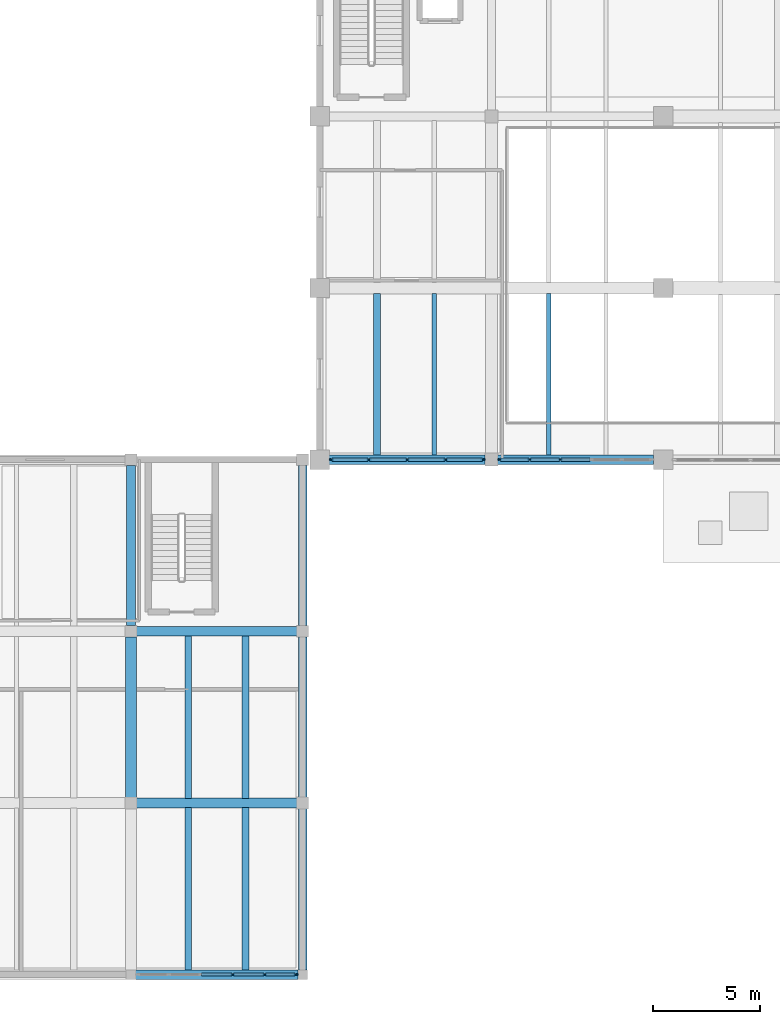
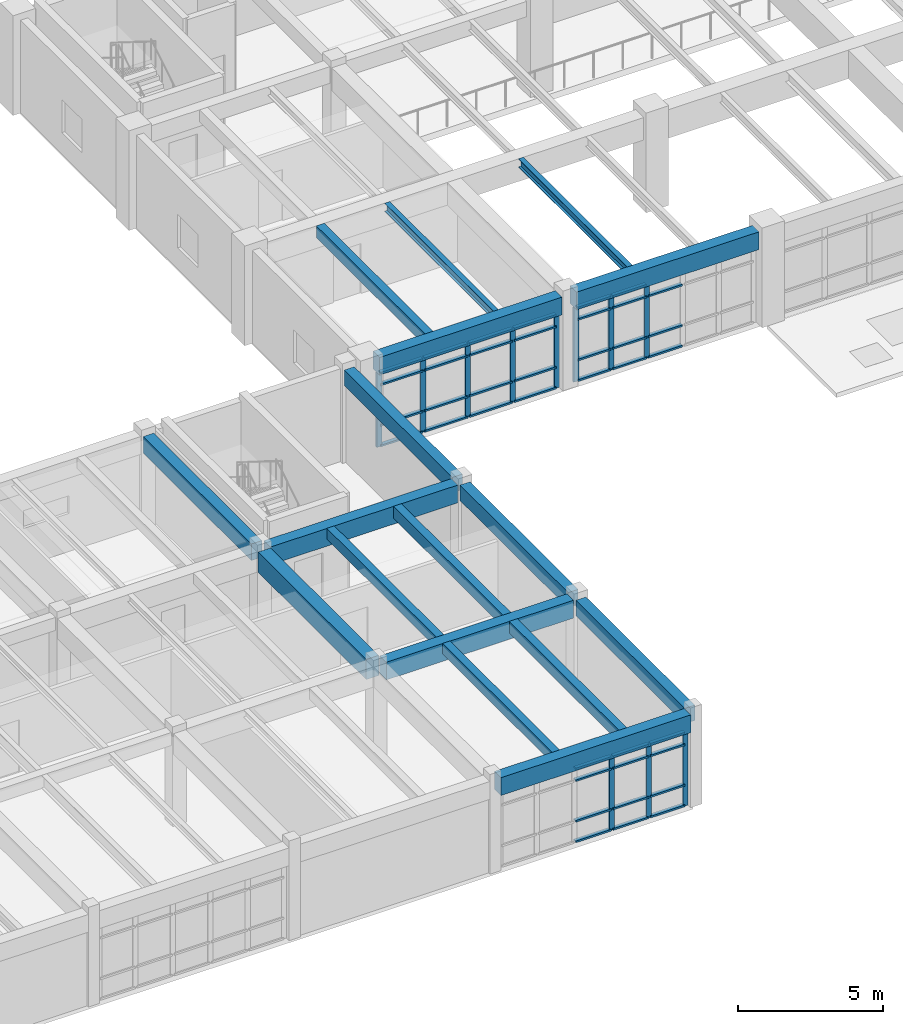
# One storey, part 5 of 67: 50 members, 17 beams, 3 elements without a shape of their own.
"""IFC4 building model written with IfcOpenShell, lengths in metres."""

from ifc_helpers import new_model, si_unit, direction, frame, origin, origin_2d, place, context, subcontext, project, spatial, rectangle, i_section, extrude, material, material_profile, profile_set, type_object, element, aggregate, save


model = new_model("IFC4")

# Units and contexts
model_context = context("Model", 3, precision=1e-05, world=origin(), true_north=direction((0.0, 1.0)))
body_context = subcontext(model_context, "Body", "Model", "MODEL_VIEW")
ifc_project = project(units=[si_unit("LENGTHUNIT", "METRE"), si_unit("AREAUNIT", "SQUARE_METRE"), si_unit("VOLUMEUNIT", "CUBIC_METRE"), si_unit("PLANEANGLEUNIT", "RADIAN"), si_unit("MASSUNIT", "GRAM", prefix="KILO")], contexts=[model_context])

# Site, building, storey
site_placement = place(None, origin())
site = spatial("IfcSite", under=ifc_project, at=site_placement, CompositionType="ELEMENT")
building_placement = place(site_placement, origin())
building = spatial("IfcBuilding", under=site, at=building_placement, Name="Tlaxcora Railside Police Headquarters", CompositionType="ELEMENT")
storey_placement = place(building_placement, frame((0.0, 0.0, 4.800048828125)))
storey = spatial("IfcBuildingStorey", under=building, at=storey_placement, Name="L01", CompositionType="ELEMENT", Elevation=4.800048828125)

# Curtain wall, members
ifc_material_1 = material(Name="Thermally broken low-E insulated glazing", Category="glass")
curtain_wall_type_1 = type_object("IfcCurtainWallType", Name="Unitised Curtain Wall Assembly CW-38", PredefinedType="NOTDEFINED", material=ifc_material_1)
curtain_wall_1_placement = place(storey_placement, origin())
curtain_wall_1 = element("IfcCurtainWall", 1, at=curtain_wall_1_placement, inside=storey, type_object=curtain_wall_type_1, Name="V1 L01 curtain wall 5", PredefinedType="NOTDEFINED")
ifc_material_2 = material(Name="Anodised aluminium framing", Category="aluminium")
ifc_material_profile_1 = material_profile(ifc_material_2, rectangle(XDim=0.074951171875, YDim=0.205078125, at=origin_2d()), Name="AL75X205")
ifc_profile_set_1 = profile_set([ifc_material_profile_1], Name="Anodised aluminium framing")
member_type_1 = type_object("IfcMemberType", Name="Curtain Wall Mullion CW-32", PredefinedType="MULLION", material=ifc_profile_set_1)
member_1_placement = place(storey_placement, frame((46.53759765625, 36.0, 0.0), z_axis=(0.0, 0.0, 1.0), x_axis=(0.0, 1.0, 0.0)))
member_1 = element("IfcMember", 2, at=member_1_placement, type_object=member_type_1, Name="CW mullion 1", PredefinedType="MULLION", context=body_context, shape_type="SweptSolid", body=[
    extrude(rectangle(XDim=0.074951171875, YDim=0.205078125, at=origin_2d()), origin(), (0.0, 0.0, 1.0), 3.139892578125),
])
member_2_placement = place(storey_placement, frame((48.28759765625, 36.0, 0.0), z_axis=(0.0, 0.0, 1.0), x_axis=(0.0, 1.0, 0.0)))
member_2 = element("IfcMember", 3, at=member_2_placement, type_object=member_type_1, Name="CW mullion 2", PredefinedType="MULLION", context=body_context, shape_type="SweptSolid", body=[
    extrude(rectangle(XDim=0.074951171875, YDim=0.205078125, at=origin_2d()), origin(), (0.0, 0.0, 1.0), 3.139892578125),
])
member_3_placement = place(storey_placement, frame((50.074951171875, 36.0, 0.0), z_axis=(0.0, 0.0, 1.0), x_axis=(0.0, 1.0, 0.0)))
member_3 = element("IfcMember", 4, at=member_3_placement, type_object=member_type_1, Name="CW mullion 3", PredefinedType="MULLION", context=body_context, shape_type="SweptSolid", body=[
    extrude(rectangle(XDim=0.074951171875, YDim=0.205078125, at=origin_2d()), origin(), (0.0, 0.0, 1.0), 3.139892578125),
])
member_4_placement = place(storey_placement, frame((51.862548828125, 36.0, 0.0), z_axis=(0.0, 0.0, 1.0), x_axis=(0.0, 1.0, 0.0)))
member_4 = element("IfcMember", 5, at=member_4_placement, type_object=member_type_1, Name="CW mullion 4", PredefinedType="MULLION", context=body_context, shape_type="SweptSolid", body=[
    extrude(rectangle(XDim=0.074951171875, YDim=0.205078125, at=origin_2d()), origin(), (0.0, 0.0, 1.0), 3.139892578125),
])
member_5_placement = place(storey_placement, frame((53.612548828125, 36.0, 0.0), z_axis=(0.0, 0.0, 1.0), x_axis=(0.0, 1.0, 0.0)))
member_5 = element("IfcMember", 6, at=member_5_placement, type_object=member_type_1, Name="CW mullion 5", PredefinedType="MULLION", context=body_context, shape_type="SweptSolid", body=[
    extrude(rectangle(XDim=0.074951171875, YDim=0.205078125, at=origin_2d()), origin(), (0.0, 0.0, 1.0), 3.139892578125),
])

curtain_wall_type_2 = type_object("IfcCurtainWallType", Name="Unitised Curtain Wall Assembly CW-15", PredefinedType="NOTDEFINED", material=ifc_material_1)
curtain_wall_2_placement = place(storey_placement, origin())
curtain_wall_2 = element("IfcCurtainWall", 7, at=curtain_wall_2_placement, inside=storey, type_object=curtain_wall_type_2, Name="V1 L01 curtain wall 6", PredefinedType="NOTDEFINED")
ifc_material_profile_2 = material_profile(ifc_material_2, rectangle(XDim=0.074951171875, YDim=0.199951171875, at=origin_2d()), Name="AL75X200")
ifc_profile_set_2 = profile_set([ifc_material_profile_2], Name="Anodised aluminium framing")
member_type_2 = type_object("IfcMemberType", Name="Curtain Wall Mullion CW-58", PredefinedType="MULLION", material=ifc_profile_set_2)
member_6_placement = place(storey_placement, frame((54.387451171875, 36.0, 0.0), z_axis=(0.0, 0.0, 1.0), x_axis=(0.0, 1.0, 0.0)))
member_6 = element("IfcMember", 8, at=member_6_placement, type_object=member_type_2, Name="CW mullion 1", PredefinedType="MULLION", context=body_context, shape_type="SweptSolid", body=[
    extrude(rectangle(XDim=0.074951171875, YDim=0.199951171875, at=origin_2d()), origin(), (0.0, 0.0, 1.0), 3.139892578125),
])
member_7_placement = place(storey_placement, frame((55.780029296875, 36.0, 0.0), z_axis=(0.0, 0.0, 1.0), x_axis=(0.0, 1.0, 0.0)))
member_7 = element("IfcMember", 9, at=member_7_placement, type_object=member_type_2, Name="CW mullion 2", PredefinedType="MULLION", context=body_context, shape_type="SweptSolid", body=[
    extrude(rectangle(XDim=0.074951171875, YDim=0.199951171875, at=origin_2d()), origin(), (0.0, 0.0, 1.0), 3.139892578125),
])
member_8_placement = place(storey_placement, frame((57.2099609375, 36.0, 0.0), z_axis=(0.0, 0.0, 1.0), x_axis=(0.0, 1.0, 0.0)))
member_8 = element("IfcMember", 10, at=member_8_placement, type_object=member_type_2, Name="CW mullion 3", PredefinedType="MULLION", context=body_context, shape_type="SweptSolid", body=[
    extrude(rectangle(XDim=0.074951171875, YDim=0.199951171875, at=origin_2d()), origin(), (0.0, 0.0, 1.0), 3.139892578125),
])

curtain_wall_3_placement = place(storey_placement, origin())
curtain_wall_3 = element("IfcCurtainWall", 11, at=curtain_wall_3_placement, inside=storey, type_object=curtain_wall_type_2, Name="V4 L01 curtain wall 26", PredefinedType="NOTDEFINED")
member_9_placement = place(storey_placement, frame((41.945068359375, 12.0, 0.0), z_axis=(0.0, 0.0, 1.0), x_axis=(0.0, 1.0, 0.0)))
member_9 = element("IfcMember", 12, at=member_9_placement, type_object=member_type_2, Name="CW mullion 4", PredefinedType="MULLION", context=body_context, shape_type="SweptSolid", body=[
    extrude(rectangle(XDim=0.074951171875, YDim=0.199951171875, at=origin_2d()), origin(), (0.0, 0.0, 1.0), 3.139892578125),
])
member_10_placement = place(storey_placement, frame((43.43505859375, 12.0, 0.0), z_axis=(0.0, 0.0, 1.0), x_axis=(0.0, 1.0, 0.0)))
member_10 = element("IfcMember", 13, at=member_10_placement, type_object=member_type_2, Name="CW mullion 5", PredefinedType="MULLION", context=body_context, shape_type="SweptSolid", body=[
    extrude(rectangle(XDim=0.074951171875, YDim=0.199951171875, at=origin_2d()), origin(), (0.0, 0.0, 1.0), 3.139892578125),
])
member_11_placement = place(storey_placement, frame((44.887451171875, 12.0, 0.0), z_axis=(0.0, 0.0, 1.0), x_axis=(0.0, 1.0, 0.0)))
member_11 = element("IfcMember", 14, at=member_11_placement, type_object=member_type_2, Name="CW mullion 6", PredefinedType="MULLION", context=body_context, shape_type="SweptSolid", body=[
    extrude(rectangle(XDim=0.074951171875, YDim=0.199951171875, at=origin_2d()), origin(), (0.0, 0.0, 1.0), 3.139892578125),
])

# Member
ifc_material_profile_3 = material_profile(ifc_material_2, rectangle(XDim=0.14990234375, YDim=0.074951171875, at=origin_2d()), Name="AL75X150")
ifc_profile_set_3 = profile_set([ifc_material_profile_3], Name="Anodised aluminium framing")
member_type_3 = type_object("IfcMemberType", Name="Curtain Wall Transom CW-28", PredefinedType="USERDEFINED", material=ifc_profile_set_3)
member_12_placement = place(storey_placement, frame((54.425048828125, 36.0, 0.037353515625), z_axis=(1.0, 0.0, 0.0), x_axis=(0.0, 1.0, 0.0)))
member_12 = element("IfcMember", 15, at=member_12_placement, type_object=member_type_3, Name="CW transom 1.1", ObjectType="TRANSOM", PredefinedType="USERDEFINED", context=body_context, shape_type="SweptSolid", body=[
    extrude(rectangle(XDim=0.14990234375, YDim=0.074951171875, at=origin_2d()), origin(), (0.0, 0.0, 1.0), 1.3173828125),
])

member_13_placement = place(storey_placement, frame((54.425048828125, 36.0, 0.89990234375), z_axis=(1.0, 0.0, 0.0), x_axis=(0.0, 1.0, 0.0)))
member_13 = element("IfcMember", 16, at=member_13_placement, type_object=member_type_3, Name="CW transom 1.2", ObjectType="TRANSOM", PredefinedType="USERDEFINED", context=body_context, shape_type="SweptSolid", body=[
    extrude(rectangle(XDim=0.14990234375, YDim=0.074951171875, at=origin_2d()), origin(), (0.0, 0.0, 1.0), 1.3173828125),
])

member_14_placement = place(storey_placement, frame((54.425048828125, 36.0, 2.60986328125), z_axis=(1.0, 0.0, 0.0), x_axis=(0.0, 1.0, 0.0)))
member_14 = element("IfcMember", 17, at=member_14_placement, type_object=member_type_3, Name="CW transom 1.3", ObjectType="TRANSOM", PredefinedType="USERDEFINED", context=body_context, shape_type="SweptSolid", body=[
    extrude(rectangle(XDim=0.14990234375, YDim=0.074951171875, at=origin_2d()), origin(), (0.0, 0.0, 1.0), 1.3173828125),
])

member_15_placement = place(storey_placement, frame((54.425048828125, 36.0, 3.1025390625), z_axis=(1.0, 0.0, 0.0), x_axis=(0.0, 1.0, 0.0)))
member_15 = element("IfcMember", 18, at=member_15_placement, type_object=member_type_3, Name="CW transom 1.4", ObjectType="TRANSOM", PredefinedType="USERDEFINED", context=body_context, shape_type="SweptSolid", body=[
    extrude(rectangle(XDim=0.14990234375, YDim=0.074951171875, at=origin_2d()), origin(), (0.0, 0.0, 1.0), 1.3173828125),
])

member_16_placement = place(storey_placement, frame((55.8173828125, 36.0, 0.037353515625), z_axis=(1.0, 0.0, 0.0), x_axis=(0.0, 1.0, 0.0)))
member_16 = element("IfcMember", 19, at=member_16_placement, type_object=member_type_3, Name="CW transom 2.1", ObjectType="TRANSOM", PredefinedType="USERDEFINED", context=body_context, shape_type="SweptSolid", body=[
    extrude(rectangle(XDim=0.14990234375, YDim=0.074951171875, at=origin_2d()), origin(), (0.0, 0.0, 1.0), 1.355224609375),
])

member_17_placement = place(storey_placement, frame((55.8173828125, 36.0, 0.89990234375), z_axis=(1.0, 0.0, 0.0), x_axis=(0.0, 1.0, 0.0)))
member_17 = element("IfcMember", 20, at=member_17_placement, type_object=member_type_3, Name="CW transom 2.2", ObjectType="TRANSOM", PredefinedType="USERDEFINED", context=body_context, shape_type="SweptSolid", body=[
    extrude(rectangle(XDim=0.14990234375, YDim=0.074951171875, at=origin_2d()), origin(), (0.0, 0.0, 1.0), 1.355224609375),
])

member_18_placement = place(storey_placement, frame((55.8173828125, 36.0, 2.60986328125), z_axis=(1.0, 0.0, 0.0), x_axis=(0.0, 1.0, 0.0)))
member_18 = element("IfcMember", 21, at=member_18_placement, type_object=member_type_3, Name="CW transom 2.3", ObjectType="TRANSOM", PredefinedType="USERDEFINED", context=body_context, shape_type="SweptSolid", body=[
    extrude(rectangle(XDim=0.14990234375, YDim=0.074951171875, at=origin_2d()), origin(), (0.0, 0.0, 1.0), 1.355224609375),
])

member_19_placement = place(storey_placement, frame((55.8173828125, 36.0, 3.1025390625), z_axis=(1.0, 0.0, 0.0), x_axis=(0.0, 1.0, 0.0)))
member_19 = element("IfcMember", 22, at=member_19_placement, type_object=member_type_3, Name="CW transom 2.4", ObjectType="TRANSOM", PredefinedType="USERDEFINED", context=body_context, shape_type="SweptSolid", body=[
    extrude(rectangle(XDim=0.14990234375, YDim=0.074951171875, at=origin_2d()), origin(), (0.0, 0.0, 1.0), 1.355224609375),
])

member_20_placement = place(storey_placement, frame((57.24755859375, 36.0, 0.037353515625), z_axis=(1.0, 0.0, 0.0), x_axis=(0.0, 1.0, 0.0)))
member_20 = element("IfcMember", 23, at=member_20_placement, type_object=member_type_3, Name="CW transom 3.1", ObjectType="TRANSOM", PredefinedType="USERDEFINED", context=body_context, shape_type="SweptSolid", body=[
    extrude(rectangle(XDim=0.14990234375, YDim=0.074951171875, at=origin_2d()), origin(), (0.0, 0.0, 1.0), 1.35498046875),
])

member_21_placement = place(storey_placement, frame((57.24755859375, 36.0, 0.89990234375), z_axis=(1.0, 0.0, 0.0), x_axis=(0.0, 1.0, 0.0)))
member_21 = element("IfcMember", 24, at=member_21_placement, type_object=member_type_3, Name="CW transom 3.2", ObjectType="TRANSOM", PredefinedType="USERDEFINED", context=body_context, shape_type="SweptSolid", body=[
    extrude(rectangle(XDim=0.14990234375, YDim=0.074951171875, at=origin_2d()), origin(), (0.0, 0.0, 1.0), 1.35498046875),
])

member_22_placement = place(storey_placement, frame((57.24755859375, 36.0, 2.60986328125), z_axis=(1.0, 0.0, 0.0), x_axis=(0.0, 1.0, 0.0)))
member_22 = element("IfcMember", 25, at=member_22_placement, type_object=member_type_3, Name="CW transom 3.3", ObjectType="TRANSOM", PredefinedType="USERDEFINED", context=body_context, shape_type="SweptSolid", body=[
    extrude(rectangle(XDim=0.14990234375, YDim=0.074951171875, at=origin_2d()), origin(), (0.0, 0.0, 1.0), 1.35498046875),
])

aggregate(curtain_wall_2, [member_6, member_7, member_8, member_12, member_13, member_14, member_15, member_16, member_17, member_18, member_19, member_20, member_21, member_22])

member_23_placement = place(storey_placement, frame((40.492431640625, 12.0, 0.037353515625), z_axis=(1.0, 0.0, 0.0), x_axis=(0.0, 1.0, 0.0)))
member_23 = element("IfcMember", 26, at=member_23_placement, type_object=member_type_3, Name="CW transom 3.1", ObjectType="TRANSOM", PredefinedType="USERDEFINED", context=body_context, shape_type="SweptSolid", body=[
    extrude(rectangle(XDim=0.14990234375, YDim=0.074951171875, at=origin_2d()), origin(), (0.0, 0.0, 1.0), 1.4150390625),
])

member_24_placement = place(storey_placement, frame((40.492431640625, 12.0, 0.89990234375), z_axis=(1.0, 0.0, 0.0), x_axis=(0.0, 1.0, 0.0)))
member_24 = element("IfcMember", 27, at=member_24_placement, type_object=member_type_3, Name="CW transom 3.2", ObjectType="TRANSOM", PredefinedType="USERDEFINED", context=body_context, shape_type="SweptSolid", body=[
    extrude(rectangle(XDim=0.14990234375, YDim=0.074951171875, at=origin_2d()), origin(), (0.0, 0.0, 1.0), 1.4150390625),
])

member_25_placement = place(storey_placement, frame((40.492431640625, 12.0, 2.60986328125), z_axis=(1.0, 0.0, 0.0), x_axis=(0.0, 1.0, 0.0)))
member_25 = element("IfcMember", 28, at=member_25_placement, type_object=member_type_3, Name="CW transom 3.3", ObjectType="TRANSOM", PredefinedType="USERDEFINED", context=body_context, shape_type="SweptSolid", body=[
    extrude(rectangle(XDim=0.14990234375, YDim=0.074951171875, at=origin_2d()), origin(), (0.0, 0.0, 1.0), 1.4150390625),
])

member_26_placement = place(storey_placement, frame((40.492431640625, 12.0, 3.1025390625), z_axis=(1.0, 0.0, 0.0), x_axis=(0.0, 1.0, 0.0)))
member_26 = element("IfcMember", 29, at=member_26_placement, type_object=member_type_3, Name="CW transom 3.4", ObjectType="TRANSOM", PredefinedType="USERDEFINED", context=body_context, shape_type="SweptSolid", body=[
    extrude(rectangle(XDim=0.14990234375, YDim=0.074951171875, at=origin_2d()), origin(), (0.0, 0.0, 1.0), 1.4150390625),
])

member_27_placement = place(storey_placement, frame((41.982421875, 12.0, 0.037353515625), z_axis=(1.0, 0.0, 0.0), x_axis=(0.0, 1.0, 0.0)))
member_27 = element("IfcMember", 30, at=member_27_placement, type_object=member_type_3, Name="CW transom 4.1", ObjectType="TRANSOM", PredefinedType="USERDEFINED", context=body_context, shape_type="SweptSolid", body=[
    extrude(rectangle(XDim=0.14990234375, YDim=0.074951171875, at=origin_2d()), origin(), (0.0, 0.0, 1.0), 1.4150390625),
])

member_28_placement = place(storey_placement, frame((41.982421875, 12.0, 0.89990234375), z_axis=(1.0, 0.0, 0.0), x_axis=(0.0, 1.0, 0.0)))
member_28 = element("IfcMember", 31, at=member_28_placement, type_object=member_type_3, Name="CW transom 4.2", ObjectType="TRANSOM", PredefinedType="USERDEFINED", context=body_context, shape_type="SweptSolid", body=[
    extrude(rectangle(XDim=0.14990234375, YDim=0.074951171875, at=origin_2d()), origin(), (0.0, 0.0, 1.0), 1.4150390625),
])

member_29_placement = place(storey_placement, frame((41.982421875, 12.0, 2.60986328125), z_axis=(1.0, 0.0, 0.0), x_axis=(0.0, 1.0, 0.0)))
member_29 = element("IfcMember", 32, at=member_29_placement, type_object=member_type_3, Name="CW transom 4.3", ObjectType="TRANSOM", PredefinedType="USERDEFINED", context=body_context, shape_type="SweptSolid", body=[
    extrude(rectangle(XDim=0.14990234375, YDim=0.074951171875, at=origin_2d()), origin(), (0.0, 0.0, 1.0), 1.4150390625),
])

member_30_placement = place(storey_placement, frame((41.982421875, 12.0, 3.1025390625), z_axis=(1.0, 0.0, 0.0), x_axis=(0.0, 1.0, 0.0)))
member_30 = element("IfcMember", 33, at=member_30_placement, type_object=member_type_3, Name="CW transom 4.4", ObjectType="TRANSOM", PredefinedType="USERDEFINED", context=body_context, shape_type="SweptSolid", body=[
    extrude(rectangle(XDim=0.14990234375, YDim=0.074951171875, at=origin_2d()), origin(), (0.0, 0.0, 1.0), 1.4150390625),
])

member_31_placement = place(storey_placement, frame((43.472412109375, 12.0, 0.037353515625), z_axis=(1.0, 0.0, 0.0), x_axis=(0.0, 1.0, 0.0)))
member_31 = element("IfcMember", 34, at=member_31_placement, type_object=member_type_3, Name="CW transom 5.1", ObjectType="TRANSOM", PredefinedType="USERDEFINED", context=body_context, shape_type="SweptSolid", body=[
    extrude(rectangle(XDim=0.14990234375, YDim=0.074951171875, at=origin_2d()), origin(), (0.0, 0.0, 1.0), 1.377685546875),
])

member_32_placement = place(storey_placement, frame((43.472412109375, 12.0, 0.89990234375), z_axis=(1.0, 0.0, 0.0), x_axis=(0.0, 1.0, 0.0)))
member_32 = element("IfcMember", 35, at=member_32_placement, type_object=member_type_3, Name="CW transom 5.2", ObjectType="TRANSOM", PredefinedType="USERDEFINED", context=body_context, shape_type="SweptSolid", body=[
    extrude(rectangle(XDim=0.14990234375, YDim=0.074951171875, at=origin_2d()), origin(), (0.0, 0.0, 1.0), 1.377685546875),
])

member_33_placement = place(storey_placement, frame((43.472412109375, 12.0, 2.60986328125), z_axis=(1.0, 0.0, 0.0), x_axis=(0.0, 1.0, 0.0)))
member_33 = element("IfcMember", 36, at=member_33_placement, type_object=member_type_3, Name="CW transom 5.3", ObjectType="TRANSOM", PredefinedType="USERDEFINED", context=body_context, shape_type="SweptSolid", body=[
    extrude(rectangle(XDim=0.14990234375, YDim=0.074951171875, at=origin_2d()), origin(), (0.0, 0.0, 1.0), 1.377685546875),
])

member_34_placement = place(storey_placement, frame((43.472412109375, 12.0, 3.1025390625), z_axis=(1.0, 0.0, 0.0), x_axis=(0.0, 1.0, 0.0)))
member_34 = element("IfcMember", 37, at=member_34_placement, type_object=member_type_3, Name="CW transom 5.4", ObjectType="TRANSOM", PredefinedType="USERDEFINED", context=body_context, shape_type="SweptSolid", body=[
    extrude(rectangle(XDim=0.14990234375, YDim=0.074951171875, at=origin_2d()), origin(), (0.0, 0.0, 1.0), 1.377685546875),
])

aggregate(curtain_wall_3, [member_9, member_10, member_11, member_23, member_24, member_25, member_26, member_27, member_28, member_29, member_30, member_31, member_32, member_33, member_34])

ifc_material_profile_4 = material_profile(ifc_material_2, rectangle(XDim=0.155029296875, YDim=0.074951171875, at=origin_2d()), Name="AL75X155")
ifc_profile_set_4 = profile_set([ifc_material_profile_4], Name="Anodised aluminium framing")
member_type_4 = type_object("IfcMemberType", Name="Curtain Wall Transom CW-30", PredefinedType="USERDEFINED", material=ifc_profile_set_4)
member_35_placement = place(storey_placement, frame((46.574951171875, 36.0, 0.037353515625), z_axis=(1.0, 0.0, 0.0), x_axis=(0.0, 1.0, 0.0)))
member_35 = element("IfcMember", 38, at=member_35_placement, type_object=member_type_4, Name="CW transom 1.1", ObjectType="TRANSOM", PredefinedType="USERDEFINED", context=body_context, shape_type="SweptSolid", body=[
    extrude(rectangle(XDim=0.155029296875, YDim=0.074951171875, at=origin_2d()), origin(), (0.0, 0.0, 1.0), 1.675048828125),
])

member_36_placement = place(storey_placement, frame((46.574951171875, 36.0, 0.89990234375), z_axis=(1.0, 0.0, 0.0), x_axis=(0.0, 1.0, 0.0)))
member_36 = element("IfcMember", 39, at=member_36_placement, type_object=member_type_4, Name="CW transom 1.2", ObjectType="TRANSOM", PredefinedType="USERDEFINED", context=body_context, shape_type="SweptSolid", body=[
    extrude(rectangle(XDim=0.155029296875, YDim=0.074951171875, at=origin_2d()), origin(), (0.0, 0.0, 1.0), 1.675048828125),
])

member_37_placement = place(storey_placement, frame((46.574951171875, 36.0, 2.60986328125), z_axis=(1.0, 0.0, 0.0), x_axis=(0.0, 1.0, 0.0)))
member_37 = element("IfcMember", 40, at=member_37_placement, type_object=member_type_4, Name="CW transom 1.3", ObjectType="TRANSOM", PredefinedType="USERDEFINED", context=body_context, shape_type="SweptSolid", body=[
    extrude(rectangle(XDim=0.155029296875, YDim=0.074951171875, at=origin_2d()), origin(), (0.0, 0.0, 1.0), 1.675048828125),
])

member_38_placement = place(storey_placement, frame((46.574951171875, 36.0, 3.1025390625), z_axis=(1.0, 0.0, 0.0), x_axis=(0.0, 1.0, 0.0)))
member_38 = element("IfcMember", 41, at=member_38_placement, type_object=member_type_4, Name="CW transom 1.4", ObjectType="TRANSOM", PredefinedType="USERDEFINED", context=body_context, shape_type="SweptSolid", body=[
    extrude(rectangle(XDim=0.155029296875, YDim=0.074951171875, at=origin_2d()), origin(), (0.0, 0.0, 1.0), 1.675048828125),
])

member_39_placement = place(storey_placement, frame((48.324951171875, 36.0, 0.037353515625), z_axis=(1.0, 0.0, 0.0), x_axis=(0.0, 1.0, 0.0)))
member_39 = element("IfcMember", 42, at=member_39_placement, type_object=member_type_4, Name="CW transom 2.1", ObjectType="TRANSOM", PredefinedType="USERDEFINED", context=body_context, shape_type="SweptSolid", body=[
    extrude(rectangle(XDim=0.155029296875, YDim=0.074951171875, at=origin_2d()), origin(), (0.0, 0.0, 1.0), 1.712646484375),
])

member_40_placement = place(storey_placement, frame((48.324951171875, 36.0, 0.89990234375), z_axis=(1.0, 0.0, 0.0), x_axis=(0.0, 1.0, 0.0)))
member_40 = element("IfcMember", 43, at=member_40_placement, type_object=member_type_4, Name="CW transom 2.2", ObjectType="TRANSOM", PredefinedType="USERDEFINED", context=body_context, shape_type="SweptSolid", body=[
    extrude(rectangle(XDim=0.155029296875, YDim=0.074951171875, at=origin_2d()), origin(), (0.0, 0.0, 1.0), 1.712646484375),
])

member_41_placement = place(storey_placement, frame((48.324951171875, 36.0, 2.60986328125), z_axis=(1.0, 0.0, 0.0), x_axis=(0.0, 1.0, 0.0)))
member_41 = element("IfcMember", 44, at=member_41_placement, type_object=member_type_4, Name="CW transom 2.3", ObjectType="TRANSOM", PredefinedType="USERDEFINED", context=body_context, shape_type="SweptSolid", body=[
    extrude(rectangle(XDim=0.155029296875, YDim=0.074951171875, at=origin_2d()), origin(), (0.0, 0.0, 1.0), 1.712646484375),
])

member_42_placement = place(storey_placement, frame((48.324951171875, 36.0, 3.1025390625), z_axis=(1.0, 0.0, 0.0), x_axis=(0.0, 1.0, 0.0)))
member_42 = element("IfcMember", 45, at=member_42_placement, type_object=member_type_4, Name="CW transom 2.4", ObjectType="TRANSOM", PredefinedType="USERDEFINED", context=body_context, shape_type="SweptSolid", body=[
    extrude(rectangle(XDim=0.155029296875, YDim=0.074951171875, at=origin_2d()), origin(), (0.0, 0.0, 1.0), 1.712646484375),
])

member_43_placement = place(storey_placement, frame((50.112548828125, 36.0, 0.037353515625), z_axis=(1.0, 0.0, 0.0), x_axis=(0.0, 1.0, 0.0)))
member_43 = element("IfcMember", 46, at=member_43_placement, type_object=member_type_4, Name="CW transom 3.1", ObjectType="TRANSOM", PredefinedType="USERDEFINED", context=body_context, shape_type="SweptSolid", body=[
    extrude(rectangle(XDim=0.155029296875, YDim=0.074951171875, at=origin_2d()), origin(), (0.0, 0.0, 1.0), 1.71240234375),
])

member_44_placement = place(storey_placement, frame((50.112548828125, 36.0, 0.89990234375), z_axis=(1.0, 0.0, 0.0), x_axis=(0.0, 1.0, 0.0)))
member_44 = element("IfcMember", 47, at=member_44_placement, type_object=member_type_4, Name="CW transom 3.2", ObjectType="TRANSOM", PredefinedType="USERDEFINED", context=body_context, shape_type="SweptSolid", body=[
    extrude(rectangle(XDim=0.155029296875, YDim=0.074951171875, at=origin_2d()), origin(), (0.0, 0.0, 1.0), 1.71240234375),
])

member_45_placement = place(storey_placement, frame((50.112548828125, 36.0, 2.60986328125), z_axis=(1.0, 0.0, 0.0), x_axis=(0.0, 1.0, 0.0)))
member_45 = element("IfcMember", 48, at=member_45_placement, type_object=member_type_4, Name="CW transom 3.3", ObjectType="TRANSOM", PredefinedType="USERDEFINED", context=body_context, shape_type="SweptSolid", body=[
    extrude(rectangle(XDim=0.155029296875, YDim=0.074951171875, at=origin_2d()), origin(), (0.0, 0.0, 1.0), 1.71240234375),
])

member_46_placement = place(storey_placement, frame((50.112548828125, 36.0, 3.1025390625), z_axis=(1.0, 0.0, 0.0), x_axis=(0.0, 1.0, 0.0)))
member_46 = element("IfcMember", 49, at=member_46_placement, type_object=member_type_4, Name="CW transom 3.4", ObjectType="TRANSOM", PredefinedType="USERDEFINED", context=body_context, shape_type="SweptSolid", body=[
    extrude(rectangle(XDim=0.155029296875, YDim=0.074951171875, at=origin_2d()), origin(), (0.0, 0.0, 1.0), 1.71240234375),
])

member_47_placement = place(storey_placement, frame((51.89990234375, 36.0, 0.037353515625), z_axis=(1.0, 0.0, 0.0), x_axis=(0.0, 1.0, 0.0)))
member_47 = element("IfcMember", 50, at=member_47_placement, type_object=member_type_4, Name="CW transom 4.1", ObjectType="TRANSOM", PredefinedType="USERDEFINED", context=body_context, shape_type="SweptSolid", body=[
    extrude(rectangle(XDim=0.155029296875, YDim=0.074951171875, at=origin_2d()), origin(), (0.0, 0.0, 1.0), 1.675048828125),
])

member_48_placement = place(storey_placement, frame((51.89990234375, 36.0, 0.89990234375), z_axis=(1.0, 0.0, 0.0), x_axis=(0.0, 1.0, 0.0)))
member_48 = element("IfcMember", 51, at=member_48_placement, type_object=member_type_4, Name="CW transom 4.2", ObjectType="TRANSOM", PredefinedType="USERDEFINED", context=body_context, shape_type="SweptSolid", body=[
    extrude(rectangle(XDim=0.155029296875, YDim=0.074951171875, at=origin_2d()), origin(), (0.0, 0.0, 1.0), 1.675048828125),
])

member_49_placement = place(storey_placement, frame((51.89990234375, 36.0, 2.60986328125), z_axis=(1.0, 0.0, 0.0), x_axis=(0.0, 1.0, 0.0)))
member_49 = element("IfcMember", 52, at=member_49_placement, type_object=member_type_4, Name="CW transom 4.3", ObjectType="TRANSOM", PredefinedType="USERDEFINED", context=body_context, shape_type="SweptSolid", body=[
    extrude(rectangle(XDim=0.155029296875, YDim=0.074951171875, at=origin_2d()), origin(), (0.0, 0.0, 1.0), 1.675048828125),
])

member_50_placement = place(storey_placement, frame((51.89990234375, 36.0, 3.1025390625), z_axis=(1.0, 0.0, 0.0), x_axis=(0.0, 1.0, 0.0)))
member_50 = element("IfcMember", 53, at=member_50_placement, type_object=member_type_4, Name="CW transom 4.4", ObjectType="TRANSOM", PredefinedType="USERDEFINED", context=body_context, shape_type="SweptSolid", body=[
    extrude(rectangle(XDim=0.155029296875, YDim=0.074951171875, at=origin_2d()), origin(), (0.0, 0.0, 1.0), 1.675048828125),
])

aggregate(curtain_wall_1, [member_1, member_2, member_3, member_4, member_5, member_35, member_36, member_37, member_38, member_39, member_40, member_41, member_42, member_43, member_44, member_45, member_46, member_47, member_48, member_49, member_50])

# Beams
ifc_material_3 = material(Name="Concrete C40/50", Category="concrete")
ifc_material_profile_5 = material_profile(ifc_material_3, rectangle(XDim=0.39990234375, YDim=0.64990234375, at=origin_2d()), Name="RC400X650")
ifc_profile_set_5 = profile_set([ifc_material_profile_5], Name="Concrete C40/50")
beam_type_1 = type_object("IfcBeamType", Name="Perimeter Spandrel Beam BM-46", PredefinedType="SPANDREL", material=ifc_profile_set_5)
beam_1_placement = place(storey_placement, frame((45.199951171875, 12.215087890625, 3.5849609375), z_axis=(0.0, 1.0, 0.0), x_axis=(-1.0, 0.0, 0.0)))
element("IfcBeam", 54, at=beam_1_placement, inside=storey, type_object=beam_type_1, Name="V4 L01 Y-girder X=45.2", PredefinedType="SPANDREL", context=body_context, shape_type="SweptSolid", body=[
    extrude(rectangle(XDim=0.39990234375, YDim=0.64990234375, at=origin_2d()), origin(), (0.0, 0.0, 1.0), 7.52001953125),
])
for number, where, z_axis, x_axis, name in (
    (55, (45.199951171875, 20.264892578125, 3.5849609375), (0.0, 1.0, 0.0), (-1.0, 0.0, 0.0), "V4 L01 Y-girder X=45.2"),
    (56, (45.199951171875, 28.264892578125, 3.5849609375), (0.0, 1.0, 0.0), (-1.0, 0.0, 0.0), "V4 L01 Y-girder X=45.2"),
):
    element("IfcBeam", number, at=place(storey_placement, frame(where, z_axis=z_axis, x_axis=x_axis)), inside=storey, type_object=beam_type_1, Name=name, PredefinedType="SPANDREL", context=body_context, shape_type="SweptSolid", body=[
        extrude(rectangle(XDim=0.39990234375, YDim=0.64990234375, at=origin_2d()), origin(), (0.0, 0.0, 1.0), 7.47021484375),
    ])
ifc_material_profile_6 = material_profile(ifc_material_3, rectangle(XDim=0.449951171875, YDim=0.75, at=origin_2d()), Name="RC450X750")
ifc_profile_set_6 = profile_set([ifc_material_profile_6], Name="Concrete C40/50")
beam_type_2 = type_object("IfcBeamType", Name="Perimeter Spandrel Beam BM-86", PredefinedType="SPANDREL", material=ifc_profile_set_6)
for number, where, z_axis, x_axis, name in (
    (57, (46.43994140625, 36.0, 3.534912109375), (1.0, 0.0, 0.0), (0.0, 1.0, 0.0), "V1 L01 X-girder Y=36.0"),
    (58, (54.2900390625, 36.0, 3.534912109375), (1.0, 0.0, 0.0), (0.0, 1.0, 0.0), "V1 L01 X-girder Y=36.0"),
):
    element("IfcBeam", number, at=place(storey_placement, frame(where, z_axis=z_axis, x_axis=x_axis)), inside=storey, type_object=beam_type_2, Name=name, PredefinedType="SPANDREL", context=body_context, shape_type="SweptSolid", body=[
        extrude(rectangle(XDim=0.449951171875, YDim=0.75, at=origin_2d()), origin(), (0.0, 0.0, 1.0), 7.27001953125),
    ])
beam_2_placement = place(storey_placement, frame((37.4150390625, 12.0, 3.534912109375), z_axis=(1.0, 0.0, 0.0), x_axis=(0.0, 1.0, 0.0)))
element("IfcBeam", 59, at=beam_2_placement, inside=storey, type_object=beam_type_2, Name="V4 L01 X-girder Y=12.0", PredefinedType="SPANDREL", context=body_context, shape_type="SweptSolid", body=[
    extrude(rectangle(XDim=0.449951171875, YDim=0.75, at=origin_2d()), origin(), (0.0, 0.0, 1.0), 7.570068359375),
])
ifc_material_profile_7 = material_profile(ifc_material_3, rectangle(XDim=0.419921875, YDim=0.699951171875, at=origin_2d()), Name="RC420X700")
ifc_profile_set_7 = profile_set([ifc_material_profile_7], Name="Concrete C40/50")
beam_type_3 = type_object("IfcBeamType", Name="Primary Frame Girder BM-35", PredefinedType="BEAM", material=ifc_profile_set_7)
beam_3_placement = place(storey_placement, frame((37.199951171875, 28.264892578125, 3.56005859375), z_axis=(0.0, 1.0, 0.0), x_axis=(-1.0, 0.0, 0.0)))
element("IfcBeam", 60, at=beam_3_placement, inside=storey, type_object=beam_type_3, Name="V4 L01 Y-girder X=37.2", PredefinedType="BEAM", context=body_context, shape_type="SweptSolid", body=[
    extrude(rectangle(XDim=0.419921875, YDim=0.699951171875, at=origin_2d()), origin(), (0.0, 0.0, 1.0), 7.47021484375),
])
ifc_material_profile_8 = material_profile(ifc_material_3, rectangle(XDim=0.5, YDim=0.85009765625, at=origin_2d()), Name="RC500X850")
ifc_profile_set_8 = profile_set([ifc_material_profile_8], Name="Concrete C40/50")
beam_type_4 = type_object("IfcBeamType", Name="Primary Frame Girder BM-64", PredefinedType="BEAM", material=ifc_profile_set_8)
beam_4_placement = place(storey_placement, frame((37.199951171875, 20.264892578125, 3.48486328125), z_axis=(0.0, 1.0, 0.0), x_axis=(-1.0, 0.0, 0.0)))
element("IfcBeam", 61, at=beam_4_placement, inside=storey, type_object=beam_type_4, Name="V4 L01 Y-girder X=37.2", PredefinedType="BEAM", context=body_context, shape_type="SweptSolid", body=[
    extrude(rectangle(XDim=0.5, YDim=0.85009765625, at=origin_2d()), origin(), (0.0, 0.0, 1.0), 7.47021484375),
])
ifc_material_profile_9 = material_profile(ifc_material_3, rectangle(XDim=0.449951171875, YDim=0.75, at=origin_2d()), Name="RC450X750")
ifc_profile_set_9 = profile_set([ifc_material_profile_9], Name="Concrete C40/50")
beam_type_5 = type_object("IfcBeamType", Name="Primary Frame Girder BM-73", PredefinedType="BEAM", material=ifc_profile_set_9)
for number, where, z_axis, x_axis, name in (
    (62, (37.465087890625, 20.0, 3.534912109375), (1.0, 0.0, 0.0), (0.0, 1.0, 0.0), "V4 L01 X-girder Y=20.0"),
    (63, (37.465087890625, 28.0, 3.534912109375), (1.0, 0.0, 0.0), (0.0, 1.0, 0.0), "V4 L01 X-girder Y=28.0"),
):
    element("IfcBeam", number, at=place(storey_placement, frame(where, z_axis=z_axis, x_axis=x_axis)), inside=storey, type_object=beam_type_5, Name=name, PredefinedType="BEAM", context=body_context, shape_type="SweptSolid", body=[
        extrude(rectangle(XDim=0.449951171875, YDim=0.75, at=origin_2d()), origin(), (0.0, 0.0, 1.0), 7.469970703125),
    ])
ifc_material_4 = material(Name="Concrete C35/45", Category="concrete")
ifc_material_profile_10 = material_profile(ifc_material_4, rectangle(XDim=0.300048828125, YDim=0.449951171875, at=origin_2d()), Name="RC300X450")
ifc_profile_set_10 = profile_set([ifc_material_profile_10], Name="Concrete C35/45")
beam_type_6 = type_object("IfcBeamType", Name="Secondary Floor Joist BM-27", PredefinedType="JOIST", material=ifc_profile_set_10)
for number, where, z_axis, x_axis, name in (
    (64, (39.86669921875, 12.217041015625, 3.68505859375), (0.0, 1.0, 0.0), (-1.0, 0.0, 0.0), "V4 L01 floor joist X=39.87"),
    (65, (39.86669921875, 20.217041015625, 3.68505859375), (0.0, 1.0, 0.0), (-1.0, 0.0, 0.0), "V4 L01 floor joist X=39.87"),
):
    element("IfcBeam", number, at=place(storey_placement, frame(where, z_axis=z_axis, x_axis=x_axis)), inside=storey, type_object=beam_type_6, Name=name, PredefinedType="JOIST", context=body_context, shape_type="SweptSolid", body=[
        extrude(rectangle(XDim=0.300048828125, YDim=0.449951171875, at=origin_2d()), origin(), (0.0, 0.0, 1.0), 7.56591796875),
    ])
ifc_material_5 = material(Name="Steel ASTM A992 Grade 50", Category="steel")
ifc_material_profile_11 = material_profile(ifc_material_5, i_section(OverallWidth=0.2041015625, OverallDepth=0.35009765625, WebThickness=0.008544921875, FlangeThickness=0.01513671875, at=origin_2d()), Name="W14X48")
ifc_profile_set_11 = profile_set([ifc_material_profile_11], Name="Steel ASTM A992 Grade 50")
beam_type_7 = type_object("IfcBeamType", Name="Secondary Floor Joist BM-65", PredefinedType="JOIST", material=ifc_profile_set_11)
for number, where, z_axis, x_axis, name in (
    (66, (51.333251953125, 36.217041015625, 3.73486328125), (0.0, 1.0, 0.0), (-1.0, 0.0, 0.0), "V1 L01 floor joist X=51.33"),
    (67, (56.666748046875, 36.217041015625, 3.73486328125), (0.0, 1.0, 0.0), (-1.0, 0.0, 0.0), "V1 L01 floor joist X=56.67"),
):
    element("IfcBeam", number, at=place(storey_placement, frame(where, z_axis=z_axis, x_axis=x_axis)), inside=storey, type_object=beam_type_7, Name=name, PredefinedType="JOIST", context=body_context, shape_type="SweptSolid", body=[
        extrude(i_section(OverallWidth=0.2041015625, OverallDepth=0.35009765625, WebThickness=0.008544921875, FlangeThickness=0.01513671875, at=origin_2d()), origin(), (0.0, 0.0, 1.0), 7.515869140625),
    ])
ifc_material_profile_12 = material_profile(ifc_material_4, rectangle(XDim=0.320068359375, YDim=0.5, at=origin_2d()), Name="RC320X500")
ifc_profile_set_12 = profile_set([ifc_material_profile_12], Name="Concrete C35/45")
beam_type_8 = type_object("IfcBeamType", Name="Secondary Floor Joist BM-88", PredefinedType="JOIST", material=ifc_profile_set_12)
beam_5_placement = place(storey_placement, frame((48.666748046875, 36.217041015625, 3.659912109375), z_axis=(0.0, 1.0, 0.0), x_axis=(-1.0, 0.0, 0.0)))
element("IfcBeam", 68, at=beam_5_placement, inside=storey, type_object=beam_type_8, Name="V1 L01 floor joist X=48.67", PredefinedType="JOIST", context=body_context, shape_type="SweptSolid", body=[
    extrude(rectangle(XDim=0.320068359375, YDim=0.5, at=origin_2d()), origin(), (0.0, 0.0, 1.0), 7.515869140625),
])
for number, where, z_axis, x_axis, name in (
    (69, (42.533203125, 12.217041015625, 3.659912109375), (0.0, 1.0, 0.0), (-1.0, 0.0, 0.0), "V4 L01 floor joist X=42.53"),
    (70, (42.533203125, 20.217041015625, 3.659912109375), (0.0, 1.0, 0.0), (-1.0, 0.0, 0.0), "V4 L01 floor joist X=42.53"),
):
    element("IfcBeam", number, at=place(storey_placement, frame(where, z_axis=z_axis, x_axis=x_axis)), inside=storey, type_object=beam_type_8, Name=name, PredefinedType="JOIST", context=body_context, shape_type="SweptSolid", body=[
        extrude(rectangle(XDim=0.320068359375, YDim=0.5, at=origin_2d()), origin(), (0.0, 0.0, 1.0), 7.56591796875),
    ])

save(model, "model.ifc")
